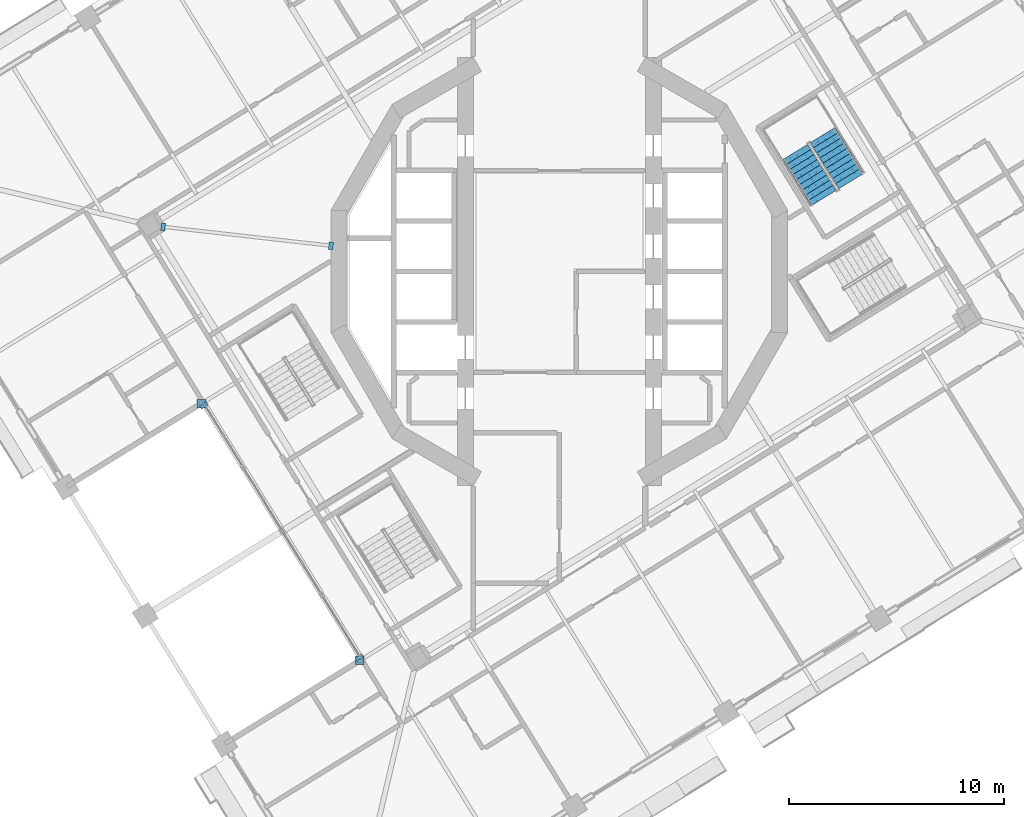
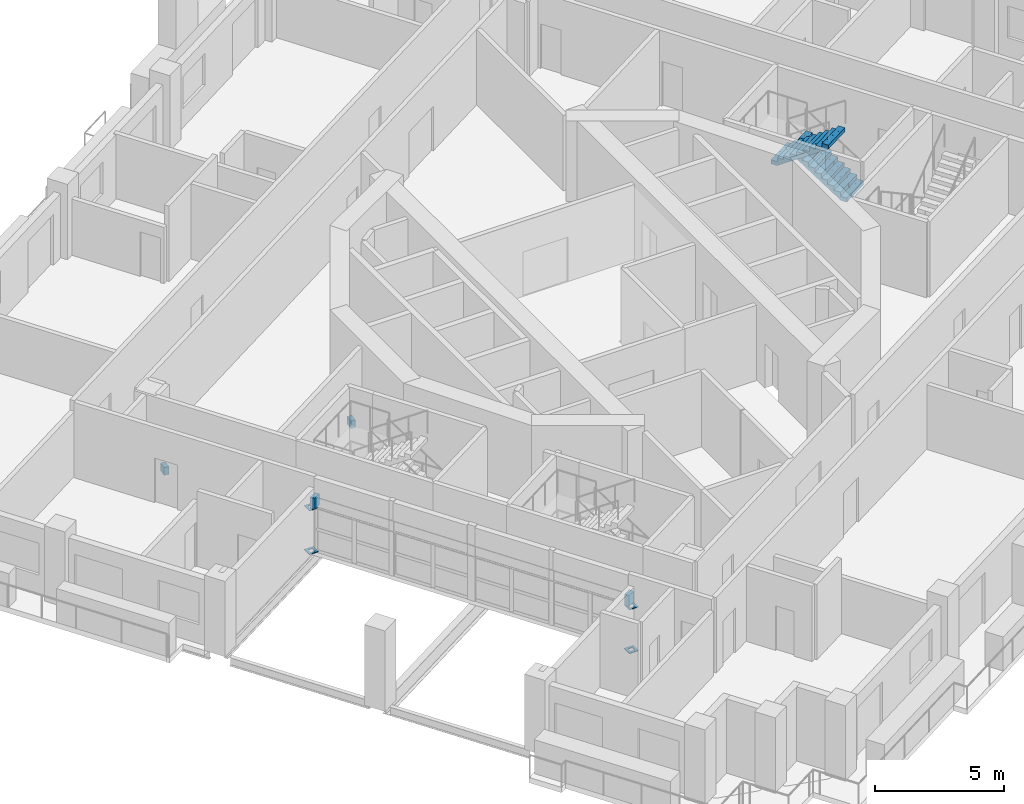
# One storey, part 14 of 22: 8 discrete accessories, 2 stair flights, 1 element without a shape of its own.
"""IFC4 building model written with IfcOpenShell, lengths in metres."""

from ifc_helpers import new_model, si_unit, direction, frame, origin, place, context, subcontext, project, spatial, polyline, outline, extrude, material, layer, layer_set, type_object, element, aggregate, save


model = new_model("IFC4")

# Units and contexts
model_context = context("Model", 3, precision=1e-05, world=origin(), true_north=direction((0.0, 1.0)))
body_context = subcontext(model_context, "Body", "Model", "MODEL_VIEW")
ifc_project = project(units=[si_unit("LENGTHUNIT", "METRE"), si_unit("AREAUNIT", "SQUARE_METRE"), si_unit("VOLUMEUNIT", "CUBIC_METRE"), si_unit("PLANEANGLEUNIT", "RADIAN"), si_unit("MASSUNIT", "GRAM", prefix="KILO")], contexts=[model_context])

# Site, building, storey
site_placement = place(None, origin())
site = spatial("IfcSite", under=ifc_project, at=site_placement, CompositionType="ELEMENT")
building_placement = place(site_placement, origin())
building = spatial("IfcBuilding", under=site, at=building_placement, Name="Cantera Rosa Tower", CompositionType="ELEMENT")
storey_placement = place(building_placement, frame((0.0, 0.0, 166.60009765625)))
storey = spatial("IfcBuildingStorey", under=building, at=storey_placement, Name="L36", CompositionType="ELEMENT", Elevation=166.60009765625)

# Stair, stair flights
ifc_material_1 = material(Name="Concrete C35/45", Category="concrete")
stair_type = type_object("IfcStairType", Name="EXIT STAIR 1350 DOGLEG", PredefinedType="HALF_TURN_STAIR", material=ifc_material_1)
stair_placement = place(storey_placement, origin())
stair = element("IfcStair", 1, at=stair_placement, inside=storey, type_object=stair_type, Name="L36 ST-31", PredefinedType="HALF_TURN_STAIR")
ifc_material_2 = material(Name="Concrete C35/45", Category="concrete")
stair_flight_type = type_object("IfcStairFlightType", Name="STAIR FLIGHT 1350 R20x190", PredefinedType="STRAIGHT", material=ifc_material_2)
stair_flight_1_placement = place(storey_placement, frame((13.5732421875, 4.2021484375, 0.0), z_axis=(0.0, 0.0, 1.0), x_axis=(-0.524976585286, 0.851116669383, 0.0)))
stair_flight_1 = element("IfcStairFlight", 2, at=stair_flight_1_placement, type_object=stair_flight_type, Name="ST-31 flight 1", NumberOfRisers=10, NumberOfTreads=9, PredefinedType="STRAIGHT", RiserHeight=0.19, TreadLength=0.28, context=body_context, shape_type="SweptSolid", body=[
    extrude(outline(polyline([(0.0, 0.0), (0.0, 0.18994140625), (0.280029296875, 0.18994140625), (0.280029296875, 0.3798828125), (0.56005859375, 0.3798828125), (0.56005859375, 0.570068359375), (0.840087890625, 0.570068359375), (0.840087890625, 0.760009765625), (1.1201171875, 0.760009765625), (1.1201171875, 0.949951171875), (1.39990234375, 0.949951171875), (1.39990234375, 1.139892578125), (1.679931640625, 1.139892578125), (1.679931640625, 1.330078125), (1.9599609375, 1.330078125), (1.9599609375, 1.52001953125), (2.239990234375, 1.52001953125), (2.239990234375, 1.7099609375), (2.52001953125, 1.7099609375), (2.52001953125, 1.89990234375), (2.52001953125, 1.52880859375), (0.266845703125, 0.0), (0.0, 0.0)])), frame((0.0, 0.675048828125, 0.0), z_axis=(0.0, -1.0, 0.0), x_axis=(1.0, 0.0, 0.0)), (0.0, 0.0, 1.0), 0.3359375),
    extrude(outline(polyline([(0.0, 0.0), (0.0, 0.18994140625), (0.280029296875, 0.18994140625), (0.280029296875, 0.3798828125), (0.56005859375, 0.3798828125), (0.56005859375, 0.570068359375), (0.840087890625, 0.570068359375), (0.840087890625, 0.760009765625), (1.1201171875, 0.760009765625), (1.1201171875, 0.949951171875), (1.39990234375, 0.949951171875), (1.39990234375, 1.139892578125), (1.679931640625, 1.139892578125), (1.679931640625, 1.330078125), (1.9599609375, 1.330078125), (1.9599609375, 1.52001953125), (2.239990234375, 1.52001953125), (2.239990234375, 1.7099609375), (2.52001953125, 1.7099609375), (2.52001953125, 1.89990234375), (2.52001953125, 1.52880859375), (0.266845703125, 0.0), (0.0, 0.0)])), frame((0.0, 0.337158203125, 0.0), z_axis=(0.0, -1.0, 0.0), x_axis=(1.0, 0.0, 0.0)), (0.0, 0.0, 1.0), 0.3359375),
    extrude(outline(polyline([(0.0, 0.0), (0.0, 0.18994140625), (0.280029296875, 0.18994140625), (0.280029296875, 0.3798828125), (0.56005859375, 0.3798828125), (0.56005859375, 0.570068359375), (0.840087890625, 0.570068359375), (0.840087890625, 0.760009765625), (1.1201171875, 0.760009765625), (1.1201171875, 0.949951171875), (1.39990234375, 0.949951171875), (1.39990234375, 1.139892578125), (1.679931640625, 1.139892578125), (1.679931640625, 1.330078125), (1.9599609375, 1.330078125), (1.9599609375, 1.52001953125), (2.239990234375, 1.52001953125), (2.239990234375, 1.7099609375), (2.52001953125, 1.7099609375), (2.52001953125, 1.89990234375), (2.52001953125, 1.52880859375), (0.266845703125, 0.0), (0.0, 0.0)])), frame((0.0, -0.000732421875, 0.0), z_axis=(0.0, -1.0, 0.0), x_axis=(1.0, 0.0, 0.0)), (0.0, 0.0, 1.0), 0.3359375),
    extrude(outline(polyline([(0.0, 0.0), (0.0, 0.18994140625), (0.280029296875, 0.18994140625), (0.280029296875, 0.3798828125), (0.56005859375, 0.3798828125), (0.56005859375, 0.570068359375), (0.840087890625, 0.570068359375), (0.840087890625, 0.760009765625), (1.1201171875, 0.760009765625), (1.1201171875, 0.949951171875), (1.39990234375, 0.949951171875), (1.39990234375, 1.139892578125), (1.679931640625, 1.139892578125), (1.679931640625, 1.330078125), (1.9599609375, 1.330078125), (1.9599609375, 1.52001953125), (2.239990234375, 1.52001953125), (2.239990234375, 1.7099609375), (2.52001953125, 1.7099609375), (2.52001953125, 1.89990234375), (2.52001953125, 1.52880859375), (0.266845703125, 0.0), (0.0, 0.0)])), frame((0.0, -0.338623046875, 0.0), z_axis=(0.0, -1.0, 0.0), x_axis=(1.0, 0.0, 0.0)), (0.0, 0.0, 1.0), 0.3359375),
])
stair_flight_2_placement = place(storey_placement, frame((10.9736328125, 5.5595703125, 1.89990234375), z_axis=(0.0, 0.0, 1.0), x_axis=(0.524976585286, -0.851116669383, 0.0)))
stair_flight_2 = element("IfcStairFlight", 3, at=stair_flight_2_placement, type_object=stair_flight_type, Name="ST-31 flight 2", NumberOfRisers=10, NumberOfTreads=9, PredefinedType="STRAIGHT", RiserHeight=0.19, TreadLength=0.28, context=body_context, shape_type="SweptSolid", body=[
    extrude(outline(polyline([(0.0, 0.0), (0.0, 0.18994140625), (0.280029296875, 0.18994140625), (0.280029296875, 0.3798828125), (0.56005859375, 0.3798828125), (0.56005859375, 0.570068359375), (0.840087890625, 0.570068359375), (0.840087890625, 0.760009765625), (1.1201171875, 0.760009765625), (1.1201171875, 0.949951171875), (1.39990234375, 0.949951171875), (1.39990234375, 1.139892578125), (1.679931640625, 1.139892578125), (1.679931640625, 1.330078125), (1.9599609375, 1.330078125), (1.9599609375, 1.52001953125), (2.239990234375, 1.52001953125), (2.239990234375, 1.7099609375), (2.52001953125, 1.7099609375), (2.52001953125, 1.89990234375), (2.52001953125, 1.52880859375), (0.266845703125, 0.0), (0.0, 0.0)])), frame((0.0, 0.675048828125, 0.0), z_axis=(0.0, -1.0, 0.0), x_axis=(1.0, 0.0, 0.0)), (0.0, 0.0, 1.0), 0.3359375),
    extrude(outline(polyline([(0.0, 0.0), (0.0, 0.18994140625), (0.280029296875, 0.18994140625), (0.280029296875, 0.3798828125), (0.56005859375, 0.3798828125), (0.56005859375, 0.570068359375), (0.840087890625, 0.570068359375), (0.840087890625, 0.760009765625), (1.1201171875, 0.760009765625), (1.1201171875, 0.949951171875), (1.39990234375, 0.949951171875), (1.39990234375, 1.139892578125), (1.679931640625, 1.139892578125), (1.679931640625, 1.330078125), (1.9599609375, 1.330078125), (1.9599609375, 1.52001953125), (2.239990234375, 1.52001953125), (2.239990234375, 1.7099609375), (2.52001953125, 1.7099609375), (2.52001953125, 1.89990234375), (2.52001953125, 1.52880859375), (0.266845703125, 0.0), (0.0, 0.0)])), frame((0.0, 0.337158203125, 0.0), z_axis=(0.0, -1.0, 0.0), x_axis=(1.0, 0.0, 0.0)), (0.0, 0.0, 1.0), 0.3359375),
    extrude(outline(polyline([(0.0, 0.0), (0.0, 0.18994140625), (0.280029296875, 0.18994140625), (0.280029296875, 0.3798828125), (0.56005859375, 0.3798828125), (0.56005859375, 0.570068359375), (0.840087890625, 0.570068359375), (0.840087890625, 0.760009765625), (1.1201171875, 0.760009765625), (1.1201171875, 0.949951171875), (1.39990234375, 0.949951171875), (1.39990234375, 1.139892578125), (1.679931640625, 1.139892578125), (1.679931640625, 1.330078125), (1.9599609375, 1.330078125), (1.9599609375, 1.52001953125), (2.239990234375, 1.52001953125), (2.239990234375, 1.7099609375), (2.52001953125, 1.7099609375), (2.52001953125, 1.89990234375), (2.52001953125, 1.52880859375), (0.266845703125, 0.0), (0.0, 0.0)])), frame((0.0, -0.000732421875, 0.0), z_axis=(0.0, -1.0, 0.0), x_axis=(1.0, 0.0, 0.0)), (0.0, 0.0, 1.0), 0.3359375),
    extrude(outline(polyline([(0.0, 0.0), (0.0, 0.18994140625), (0.280029296875, 0.18994140625), (0.280029296875, 0.3798828125), (0.56005859375, 0.3798828125), (0.56005859375, 0.570068359375), (0.840087890625, 0.570068359375), (0.840087890625, 0.760009765625), (1.1201171875, 0.760009765625), (1.1201171875, 0.949951171875), (1.39990234375, 0.949951171875), (1.39990234375, 1.139892578125), (1.679931640625, 1.139892578125), (1.679931640625, 1.330078125), (1.9599609375, 1.330078125), (1.9599609375, 1.52001953125), (2.239990234375, 1.52001953125), (2.239990234375, 1.7099609375), (2.52001953125, 1.7099609375), (2.52001953125, 1.89990234375), (2.52001953125, 1.52880859375), (0.266845703125, 0.0), (0.0, 0.0)])), frame((0.0, -0.338623046875, 0.0), z_axis=(0.0, -1.0, 0.0), x_axis=(1.0, 0.0, 0.0)), (0.0, 0.0, 1.0), 0.3359375),
])
aggregate(stair, [stair_flight_1, stair_flight_2])

# Discrete accessories
ifc_material_3 = material(Name="Steel ASTM A992 (Fy 345 MPa)", Category="steel")
ifc_layer = layer(ifc_material_3, 0.0400390625)
ifc_layer_set = layer_set([ifc_layer], Name="STEEL BEARING PLATE 40")
discrete_accessory_type = type_object("IfcDiscreteAccessoryType", Name="STEEL BEARING PLATE 40", PredefinedType="ANCHORPLATE", material=ifc_layer_set)
discrete_accessory_1_placement = place(storey_placement, frame((0.0, 0.0, -0.66015625)))
element("IfcDiscreteAccessory", 4, at=discrete_accessory_1_placement, inside=storey, type_object=discrete_accessory_type, Name="BEARING PLATE PG-Z3-01 end 1 L36", PredefinedType="ANCHORPLATE", context=body_context, shape_type="SweptSolid", body=[
    extrude(outline(polyline([(-18.316650390625, 2.242919921875), (-18.515380859375, 2.265380859375), (-18.554931640625, 1.91357421875), (-18.356201171875, 1.89111328125), (-18.316650390625, 2.242919921875)])), origin(), (0.0, 0.0, 1.0), 0.360107421875),
])
discrete_accessory_2_placement = place(storey_placement, frame((0.0, 0.0, -0.66015625)))
element("IfcDiscreteAccessory", 5, at=discrete_accessory_2_placement, inside=storey, type_object=discrete_accessory_type, Name="BEARING PLATE PG-Z3-01 end 2 L36", PredefinedType="ANCHORPLATE", context=body_context, shape_type="SweptSolid", body=[
    extrude(outline(polyline([(-10.744384765625, 1.033203125), (-10.545654296875, 1.0107421875), (-10.506103515625, 1.3623046875), (-10.70458984375, 1.384765625), (-10.744384765625, 1.033203125)])), origin(), (0.0, 0.0, 1.0), 0.360107421875),
])
discrete_accessory_3_placement = place(storey_placement, origin())
element("IfcDiscreteAccessory", 6, at=discrete_accessory_3_placement, inside=storey, type_object=discrete_accessory_type, Name="POST PLATE L36-1F", PredefinedType="ANCHORPLATE", context=body_context, shape_type="SweptSolid", body=[
    extrude(outline(polyline([(-16.85205078125, -6.34716796875), (-16.4521484375, -6.34716796875), (-16.4521484375, -5.947265625), (-16.85205078125, -5.947265625), (-16.85205078125, -6.34716796875)]), holes=[polyline([(-16.752197265625, -6.247314453125), (-16.552001953125, -6.247314453125), (-16.552001953125, -6.047119140625), (-16.752197265625, -6.047119140625), (-16.752197265625, -6.247314453125)])]), origin(), (0.0, 0.0, 1.0), 0.039794921875),
])
discrete_accessory_4_placement = place(storey_placement, frame((0.0, 0.0, 2.06591796875)))
element("IfcDiscreteAccessory", 7, at=discrete_accessory_4_placement, inside=storey, type_object=discrete_accessory_type, Name="POST PLATE L36-1T", PredefinedType="ANCHORPLATE", context=body_context, shape_type="SweptSolid", body=[
    extrude(outline(polyline([(-16.85205078125, -6.34716796875), (-16.4521484375, -6.34716796875), (-16.4521484375, -5.947265625), (-16.85205078125, -5.947265625), (-16.85205078125, -6.34716796875)]), holes=[polyline([(-16.752197265625, -6.247314453125), (-16.552001953125, -6.247314453125), (-16.552001953125, -6.047119140625), (-16.752197265625, -6.047119140625), (-16.752197265625, -6.247314453125)])]), origin(), (0.0, 0.0, 1.0), 0.0400390625),
])
discrete_accessory_5_placement = place(storey_placement, origin())
element("IfcDiscreteAccessory", 8, at=discrete_accessory_5_placement, inside=storey, type_object=discrete_accessory_type, Name="POST PLATE L36-2F", PredefinedType="ANCHORPLATE", context=body_context, shape_type="SweptSolid", body=[
    extrude(outline(polyline([(-9.4814453125, -18.296875), (-9.081298828125, -18.296875), (-9.081298828125, -17.89697265625), (-9.4814453125, -17.89697265625), (-9.4814453125, -18.296875)]), holes=[polyline([(-9.38134765625, -18.197021484375), (-9.181396484375, -18.197021484375), (-9.181396484375, -17.996826171875), (-9.38134765625, -17.996826171875), (-9.38134765625, -18.197021484375)])]), origin(), (0.0, 0.0, 1.0), 0.039794921875),
])
discrete_accessory_6_placement = place(storey_placement, frame((0.0, 0.0, 2.06591796875)))
element("IfcDiscreteAccessory", 9, at=discrete_accessory_6_placement, inside=storey, type_object=discrete_accessory_type, Name="POST PLATE L36-2T", PredefinedType="ANCHORPLATE", context=body_context, shape_type="SweptSolid", body=[
    extrude(outline(polyline([(-9.4814453125, -18.296875), (-9.081298828125, -18.296875), (-9.081298828125, -17.89697265625), (-9.4814453125, -17.89697265625), (-9.4814453125, -18.296875)]), holes=[polyline([(-9.38134765625, -18.197021484375), (-9.181396484375, -18.197021484375), (-9.181396484375, -17.996826171875), (-9.38134765625, -17.996826171875), (-9.38134765625, -18.197021484375)])]), origin(), (0.0, 0.0, 1.0), 0.0400390625),
])
discrete_accessory_7_placement = place(storey_placement, frame((0.0, 0.0, 2.10595703125)))
element("IfcDiscreteAccessory", 10, at=discrete_accessory_7_placement, inside=storey, type_object=discrete_accessory_type, Name="LINTEL PLATE L36-1", PredefinedType="ANCHORPLATE", context=body_context, shape_type="SweptSolid", body=[
    extrude(outline(polyline([(-16.335693359375, -6.21630859375), (-16.440673828125, -6.046142578125), (-16.752197265625, -6.23828125), (-16.647216796875, -6.408447265625), (-16.335693359375, -6.21630859375)])), origin(), (0.0, 0.0, 1.0), 0.52783203125),
])
discrete_accessory_8_placement = place(storey_placement, frame((0.0, 0.0, 2.10595703125)))
element("IfcDiscreteAccessory", 11, at=discrete_accessory_8_placement, inside=storey, type_object=discrete_accessory_type, Name="LINTEL PLATE L36-2", PredefinedType="ANCHORPLATE", context=body_context, shape_type="SweptSolid", body=[
    extrude(outline(polyline([(-9.5126953125, -17.97509765625), (-9.40771484375, -18.1455078125), (-9.09619140625, -17.953369140625), (-9.201171875, -17.782958984375), (-9.5126953125, -17.97509765625)])), origin(), (0.0, 0.0, 1.0), 0.52783203125),
])

save(model, "model.ifc")
